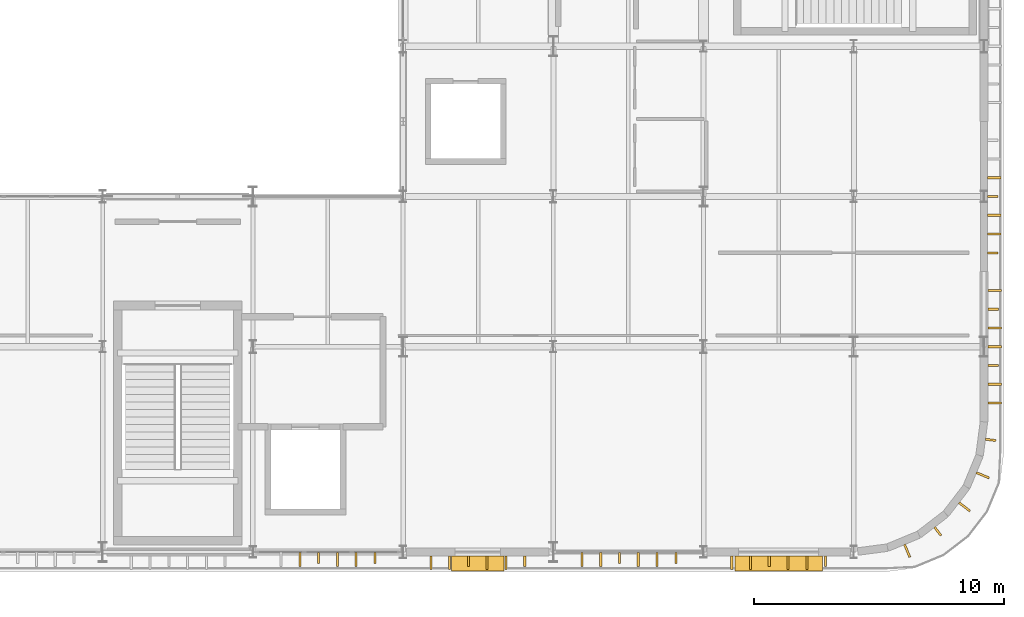
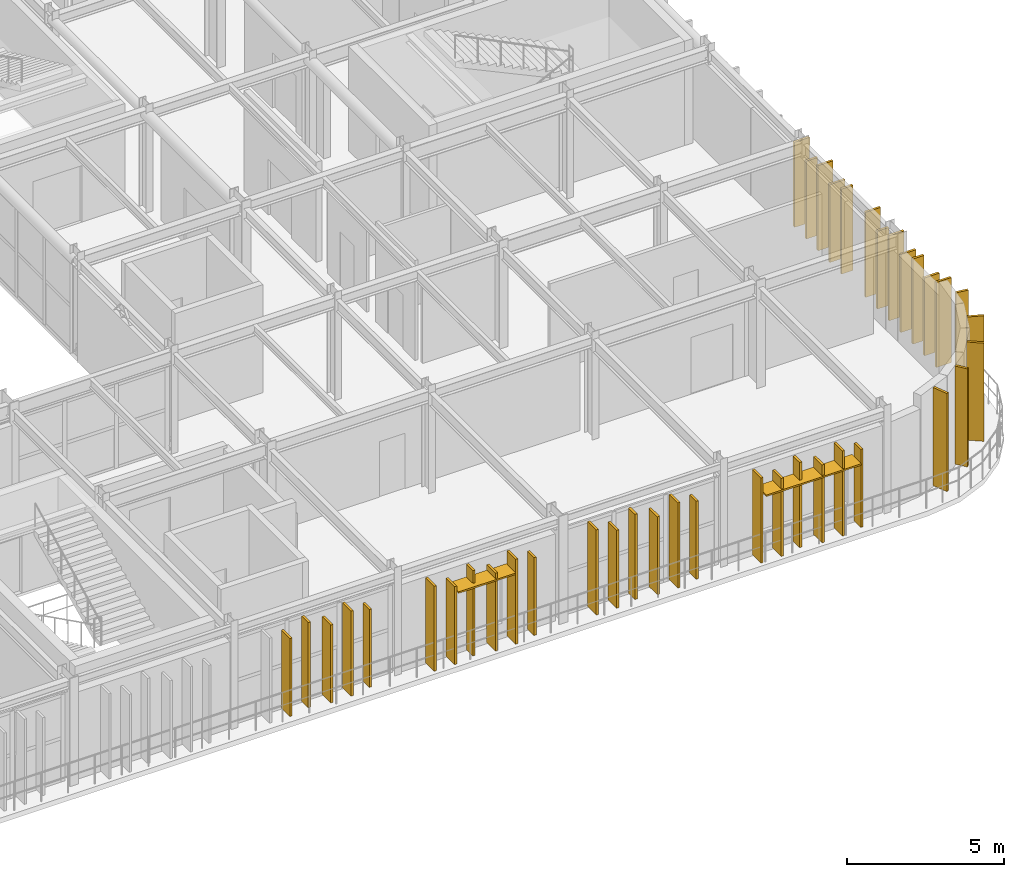
# One storey, part 81 of 83: 40 coverings, 2 shading devices.
"""IFC4 building model written with IfcOpenShell, lengths in metres."""

from ifc_helpers import new_model, si_unit, direction, frame, origin, origin_2d, place, context, subcontext, project, spatial, rectangle, extrude, material, layer, layer_set, type_object, element, save


model = new_model("IFC4")

# Units and contexts
model_context = context("Model", 3, precision=1e-05, world=origin(), true_north=direction((0.0, 1.0)))
body_context = subcontext(model_context, "Body", "Model", "MODEL_VIEW")
ifc_project = project(units=[si_unit("LENGTHUNIT", "METRE"), si_unit("AREAUNIT", "SQUARE_METRE"), si_unit("VOLUMEUNIT", "CUBIC_METRE"), si_unit("PLANEANGLEUNIT", "RADIAN"), si_unit("MASSUNIT", "GRAM", prefix="KILO")], contexts=[model_context])

# Site, building, storey
site_placement = place(None, origin())
site = spatial("IfcSite", under=ifc_project, at=site_placement, CompositionType="ELEMENT")
building_placement = place(site_placement, origin())
building = spatial("IfcBuilding", under=site, at=building_placement, Name="Varnakota Square Police Headquarters", CompositionType="ELEMENT")
storey_placement = place(building_placement, frame((0.0, 0.0, 18.0)))
storey = spatial("IfcBuildingStorey", under=building, at=storey_placement, Name="L04", CompositionType="ELEMENT", Elevation=18.0)

# Coverings
ifc_material_1 = material(Name="White Anodised Aluminium Vertical Facade Blade 420", Category="aluminium")
ifc_layer_1 = layer(ifc_material_1, 0.0849609375, Name="White Anodised Aluminium Vertical Facade Blade 420")
ifc_layer_set_1 = layer_set([ifc_layer_1], Name="White Anodised Aluminium Vertical Facade Blade 420")
covering_type_1 = type_object("IfcCoveringType", Name="COV-FIN-420", PredefinedType="CLADDING", material=ifc_layer_set_1)
covering_1_placement = place(storey_placement, frame((134.625, 0.5625, 0.0400390625), z_axis=(0.0, 0.0, 1.0), x_axis=(1.0, 0.0, 0.0)))
element("IfcCovering", 1, at=covering_1_placement, inside=storey, type_object=covering_type_1, Name="Vertical aluminium facade fin FIN-0548", PredefinedType="CLADDING", context=body_context, shape_type="SweptSolid", body=[
    extrude(rectangle(XDim=0.0849609375, YDim=0.419921875, at=origin_2d()), origin(), (0.0, 0.0, 1.0), 3.31005859375),
])
covering_2_placement = place(storey_placement, frame((136.875, 0.5625, 0.0400390625), z_axis=(0.0, 0.0, 1.0), x_axis=(1.0, 0.0, 0.0)))
element("IfcCovering", 2, at=covering_2_placement, inside=storey, type_object=covering_type_1, Name="Vertical aluminium facade fin FIN-0551", PredefinedType="CLADDING", context=body_context, shape_type="SweptSolid", body=[
    extrude(rectangle(XDim=0.0849609375, YDim=0.419921875, at=origin_2d()), origin(), (0.0, 0.0, 1.0), 3.030029296875),
])
covering_3_placement = place(storey_placement, frame((140.607421875, 0.43505859375, 0.0400390625), z_axis=(0.0, 0.0, 1.0), x_axis=(1.0, 0.0, 0.0)))
element("IfcCovering", 3, at=covering_3_placement, inside=storey, type_object=covering_type_1, Name="Vertical aluminium facade fin FIN-0554", PredefinedType="CLADDING", context=body_context, shape_type="SweptSolid", body=[
    extrude(rectangle(XDim=0.0849609375, YDim=0.419921875, at=origin_2d()), origin(), (0.0, 0.0, 1.0), 3.31005859375),
])
covering_4_placement = place(storey_placement, frame((142.857421875, 0.43505859375, 0.0400390625), z_axis=(0.0, 0.0, 1.0), x_axis=(1.0, 0.0, 0.0)))
element("IfcCovering", 4, at=covering_4_placement, inside=storey, type_object=covering_type_1, Name="Vertical aluminium facade fin FIN-0557", PredefinedType="CLADDING", context=body_context, shape_type="SweptSolid", body=[
    extrude(rectangle(XDim=0.0849609375, YDim=0.419921875, at=origin_2d()), origin(), (0.0, 0.0, 1.0), 3.030029296875),
])
covering_5_placement = place(storey_placement, frame((146.642578125, 0.5625, 0.0400390625), z_axis=(0.0, 0.0, 1.0), x_axis=(1.0, 0.0, 0.0)))
element("IfcCovering", 5, at=covering_5_placement, inside=storey, type_object=covering_type_1, Name="Vertical aluminium facade fin FIN-0560", PredefinedType="CLADDING", context=body_context, shape_type="SweptSolid", body=[
    extrude(rectangle(XDim=0.0849609375, YDim=0.419921875, at=origin_2d()), origin(), (0.0, 0.0, 1.0), 3.31005859375),
])
covering_6_placement = place(storey_placement, frame((148.892578125, 0.5625, 0.0400390625), z_axis=(0.0, 0.0, 1.0), x_axis=(1.0, 0.0, 0.0)))
element("IfcCovering", 6, at=covering_6_placement, inside=storey, type_object=covering_type_1, Name="Vertical aluminium facade fin FIN-0563", PredefinedType="CLADDING", context=body_context, shape_type="SweptSolid", body=[
    extrude(rectangle(XDim=0.0849609375, YDim=0.419921875, at=origin_2d()), origin(), (0.0, 0.0, 1.0), 3.030029296875),
])
covering_7_placement = place(storey_placement, frame((152.625, 0.43505859375, 0.0400390625), z_axis=(0.0, 0.0, 1.0), x_axis=(1.0, 0.0, 0.0)))
element("IfcCovering", 7, at=covering_7_placement, inside=storey, type_object=covering_type_1, Name="Vertical aluminium facade fin FIN-0566", PredefinedType="CLADDING", context=body_context, shape_type="SweptSolid", body=[
    extrude(rectangle(XDim=0.0849609375, YDim=0.419921875, at=origin_2d()), origin(), (0.0, 0.0, 1.0), 3.31005859375),
])
covering_8_placement = place(storey_placement, frame((154.875, 0.43505859375, 0.0400390625), z_axis=(0.0, 0.0, 1.0), x_axis=(1.0, 0.0, 0.0)))
element("IfcCovering", 8, at=covering_8_placement, inside=storey, type_object=covering_type_1, Name="Vertical aluminium facade fin FIN-0569", PredefinedType="CLADDING", context=body_context, shape_type="SweptSolid", body=[
    extrude(rectangle(XDim=0.0849609375, YDim=0.419921875, at=origin_2d()), origin(), (0.0, 0.0, 1.0), 3.030029296875),
])
covering_9_placement = place(storey_placement, frame((161.56494140625, 8.25, 0.0400390625), z_axis=(0.0, 0.0, 1.0), x_axis=(0.0, 1.0, 0.0)))
element("IfcCovering", 9, at=covering_9_placement, inside=storey, type_object=covering_type_1, Name="Vertical aluminium facade fin FIN-0572", PredefinedType="CLADDING", context=body_context, shape_type="SweptSolid", body=[
    extrude(rectangle(XDim=0.0849609375, YDim=0.419921875, at=origin_2d()), origin(), (0.0, 0.0, 1.0), 3.31005859375),
])
covering_10_placement = place(storey_placement, frame((161.56494140625, 10.5, 0.0400390625), z_axis=(0.0, 0.0, 1.0), x_axis=(0.0, 1.0, 0.0)))
element("IfcCovering", 10, at=covering_10_placement, inside=storey, type_object=covering_type_1, Name="Vertical aluminium facade fin FIN-0575", PredefinedType="CLADDING", context=body_context, shape_type="SweptSolid", body=[
    extrude(rectangle(XDim=0.0849609375, YDim=0.419921875, at=origin_2d()), origin(), (0.0, 0.0, 1.0), 3.030029296875),
])
covering_11_placement = place(storey_placement, frame((161.544921875, 12.75, 0.0400390625), z_axis=(0.0, 0.0, 1.0), x_axis=(0.0, 1.0, 0.0)))
element("IfcCovering", 11, at=covering_11_placement, inside=storey, type_object=covering_type_1, Name="Vertical aluminium facade fin FIN-0577", PredefinedType="CLADDING", context=body_context, shape_type="SweptSolid", body=[
    extrude(rectangle(XDim=0.0849609375, YDim=0.419921875, at=origin_2d()), origin(), (0.0, 0.0, 1.0), 3.31005859375),
])
covering_12_placement = place(storey_placement, frame((161.544921875, 15.0, 0.0400390625), z_axis=(0.0, 0.0, 1.0), x_axis=(0.0, 1.0, 0.0)))
element("IfcCovering", 12, at=covering_12_placement, inside=storey, type_object=covering_type_1, Name="Vertical aluminium facade fin FIN-0580", PredefinedType="CLADDING", context=body_context, shape_type="SweptSolid", body=[
    extrude(rectangle(XDim=0.0849609375, YDim=0.419921875, at=origin_2d()), origin(), (0.0, 0.0, 1.0), 3.030029296875),
])
for number, where, z_axis, x_axis, name in (
    (13, (159.3544921875, 1.628173828125, 0.0400390625), (0.0, 0.0, 1.0), (0.793353340291, 0.608761429009, 0.0), "Vertical aluminium facade fin FIN-0616"),
    (14, (161.46337890625, 5.28076171875, 0.0400390625), (0.0, 0.0, 1.0), (0.13052619222, 0.991444861374, 0.0), "Vertical aluminium facade fin FIN-0619"),
):
    element("IfcCovering", number, at=place(storey_placement, frame(where, z_axis=z_axis, x_axis=x_axis)), inside=storey, type_object=covering_type_1, Name=name, PredefinedType="CLADDING", context=body_context, shape_type="SweptSolid", body=[
        extrude(rectangle(XDim=0.0849609375, YDim=0.419921875, at=origin_2d()), origin(), (0.0, 0.0, 1.0), 3.81494140625),
    ])
ifc_material_2 = material(Name="White Anodised Aluminium Vertical Facade Blade 550", Category="aluminium")
ifc_layer_2 = layer(ifc_material_2, 0.0849609375, Name="White Anodised Aluminium Vertical Facade Blade 550")
ifc_layer_set_2 = layer_set([ifc_layer_2], Name="White Anodised Aluminium Vertical Facade Blade 550")
covering_type_2 = type_object("IfcCoveringType", Name="COV-FIN-550", PredefinedType="CLADDING", material=ifc_layer_set_2)
for number, where, z_axis, x_axis, name in (
    (15, (133.875, 0.49755859375, 0.0400390625), (0.0, 0.0, 1.0), (1.0, 0.0, 0.0), "Vertical aluminium facade fin FIN-0547"),
    (16, (135.375, 0.49755859375, 0.0400390625), (0.0, 0.0, 1.0), (1.0, 0.0, 0.0), "Vertical aluminium facade fin FIN-0549"),
):
    element("IfcCovering", number, at=place(storey_placement, frame(where, z_axis=z_axis, x_axis=x_axis)), inside=storey, type_object=covering_type_2, Name=name, PredefinedType="CLADDING", context=body_context, shape_type="SweptSolid", body=[
        extrude(rectangle(XDim=0.0849609375, YDim=0.550048828125, at=origin_2d()), origin(), (0.0, 0.0, 1.0), 3.030029296875),
    ])
for number, where, z_axis, x_axis, name in (
    (17, (136.125, 0.49755859375, 0.0400390625), (0.0, 0.0, 1.0), (1.0, 0.0, 0.0), "Vertical aluminium facade fin FIN-0550"),
    (18, (139.107421875, 0.3701171875, 0.0400390625), (0.0, 0.0, 1.0), (1.0, 0.0, 0.0), "Vertical aluminium facade fin FIN-0552"),
):
    element("IfcCovering", number, at=place(storey_placement, frame(where, z_axis=z_axis, x_axis=x_axis)), inside=storey, type_object=covering_type_2, Name=name, PredefinedType="CLADDING", context=body_context, shape_type="SweptSolid", body=[
        extrude(rectangle(XDim=0.0849609375, YDim=0.550048828125, at=origin_2d()), origin(), (0.0, 0.0, 1.0), 3.31005859375),
    ])
for number, where, z_axis, x_axis, name in (
    (19, (139.857421875, 0.3701171875, 0.0400390625), (0.0, 0.0, 1.0), (1.0, 0.0, 0.0), "Vertical aluminium facade fin FIN-0553"),
    (20, (141.357421875, 0.3701171875, 0.0400390625), (0.0, 0.0, 1.0), (1.0, 0.0, 0.0), "Vertical aluminium facade fin FIN-0555"),
):
    element("IfcCovering", number, at=place(storey_placement, frame(where, z_axis=z_axis, x_axis=x_axis)), inside=storey, type_object=covering_type_2, Name=name, PredefinedType="CLADDING", context=body_context, shape_type="SweptSolid", body=[
        extrude(rectangle(XDim=0.0849609375, YDim=0.550048828125, at=origin_2d()), origin(), (0.0, 0.0, 1.0), 3.030029296875),
    ])
for number, where, z_axis, x_axis, name in (
    (21, (142.107421875, 0.3701171875, 0.0400390625), (0.0, 0.0, 1.0), (1.0, 0.0, 0.0), "Vertical aluminium facade fin FIN-0556"),
    (22, (145.142578125, 0.49755859375, 0.0400390625), (0.0, 0.0, 1.0), (1.0, 0.0, 0.0), "Vertical aluminium facade fin FIN-0558"),
):
    element("IfcCovering", number, at=place(storey_placement, frame(where, z_axis=z_axis, x_axis=x_axis)), inside=storey, type_object=covering_type_2, Name=name, PredefinedType="CLADDING", context=body_context, shape_type="SweptSolid", body=[
        extrude(rectangle(XDim=0.0849609375, YDim=0.550048828125, at=origin_2d()), origin(), (0.0, 0.0, 1.0), 3.31005859375),
    ])
for number, where, z_axis, x_axis, name in (
    (23, (145.892578125, 0.49755859375, 0.0400390625), (0.0, 0.0, 1.0), (1.0, 0.0, 0.0), "Vertical aluminium facade fin FIN-0559"),
    (24, (147.392578125, 0.49755859375, 0.0400390625), (0.0, 0.0, 1.0), (1.0, 0.0, 0.0), "Vertical aluminium facade fin FIN-0561"),
):
    element("IfcCovering", number, at=place(storey_placement, frame(where, z_axis=z_axis, x_axis=x_axis)), inside=storey, type_object=covering_type_2, Name=name, PredefinedType="CLADDING", context=body_context, shape_type="SweptSolid", body=[
        extrude(rectangle(XDim=0.0849609375, YDim=0.550048828125, at=origin_2d()), origin(), (0.0, 0.0, 1.0), 3.030029296875),
    ])
for number, where, z_axis, x_axis, name in (
    (25, (148.142578125, 0.49755859375, 0.0400390625), (0.0, 0.0, 1.0), (1.0, 0.0, 0.0), "Vertical aluminium facade fin FIN-0562"),
    (26, (151.125, 0.3701171875, 0.0400390625), (0.0, 0.0, 1.0), (1.0, 0.0, 0.0), "Vertical aluminium facade fin FIN-0564"),
):
    element("IfcCovering", number, at=place(storey_placement, frame(where, z_axis=z_axis, x_axis=x_axis)), inside=storey, type_object=covering_type_2, Name=name, PredefinedType="CLADDING", context=body_context, shape_type="SweptSolid", body=[
        extrude(rectangle(XDim=0.0849609375, YDim=0.550048828125, at=origin_2d()), origin(), (0.0, 0.0, 1.0), 3.31005859375),
    ])
for number, where, z_axis, x_axis, name in (
    (27, (151.875, 0.3701171875, 0.0400390625), (0.0, 0.0, 1.0), (1.0, 0.0, 0.0), "Vertical aluminium facade fin FIN-0565"),
    (28, (153.375, 0.3701171875, 0.0400390625), (0.0, 0.0, 1.0), (1.0, 0.0, 0.0), "Vertical aluminium facade fin FIN-0567"),
):
    element("IfcCovering", number, at=place(storey_placement, frame(where, z_axis=z_axis, x_axis=x_axis)), inside=storey, type_object=covering_type_2, Name=name, PredefinedType="CLADDING", context=body_context, shape_type="SweptSolid", body=[
        extrude(rectangle(XDim=0.0849609375, YDim=0.550048828125, at=origin_2d()), origin(), (0.0, 0.0, 1.0), 3.030029296875),
    ])
for number, where, z_axis, x_axis, name in (
    (29, (154.125, 0.3701171875, 0.0400390625), (0.0, 0.0, 1.0), (1.0, 0.0, 0.0), "Vertical aluminium facade fin FIN-0568"),
    (30, (161.6298828125, 6.75, 0.0400390625), (0.0, 0.0, 1.0), (0.0, 1.0, 0.0), "Vertical aluminium facade fin FIN-0570"),
):
    element("IfcCovering", number, at=place(storey_placement, frame(where, z_axis=z_axis, x_axis=x_axis)), inside=storey, type_object=covering_type_2, Name=name, PredefinedType="CLADDING", context=body_context, shape_type="SweptSolid", body=[
        extrude(rectangle(XDim=0.0849609375, YDim=0.550048828125, at=origin_2d()), origin(), (0.0, 0.0, 1.0), 3.31005859375),
    ])
for number, where, z_axis, x_axis, name in (
    (31, (161.6298828125, 7.5, 0.0400390625), (0.0, 0.0, 1.0), (0.0, 1.0, 0.0), "Vertical aluminium facade fin FIN-0571"),
    (32, (161.6298828125, 9.0, 0.0400390625), (0.0, 0.0, 1.0), (0.0, 1.0, 0.0), "Vertical aluminium facade fin FIN-0573"),
):
    element("IfcCovering", number, at=place(storey_placement, frame(where, z_axis=z_axis, x_axis=x_axis)), inside=storey, type_object=covering_type_2, Name=name, PredefinedType="CLADDING", context=body_context, shape_type="SweptSolid", body=[
        extrude(rectangle(XDim=0.0849609375, YDim=0.550048828125, at=origin_2d()), origin(), (0.0, 0.0, 1.0), 3.030029296875),
    ])
for number, where, z_axis, x_axis, name in (
    (33, (161.6298828125, 9.75, 0.0400390625), (0.0, 0.0, 1.0), (0.0, 1.0, 0.0), "Vertical aluminium facade fin FIN-0574"),
    (34, (161.6298828125, 11.25, 0.0400390625), (0.0, 0.0, 1.0), (0.0, 1.0, 0.0), "Vertical aluminium facade fin FIN-0576"),
):
    element("IfcCovering", number, at=place(storey_placement, frame(where, z_axis=z_axis, x_axis=x_axis)), inside=storey, type_object=covering_type_2, Name=name, PredefinedType="CLADDING", context=body_context, shape_type="SweptSolid", body=[
        extrude(rectangle(XDim=0.0849609375, YDim=0.550048828125, at=origin_2d()), origin(), (0.0, 0.0, 1.0), 3.31005859375),
    ])
covering_13_placement = place(storey_placement, frame((161.610107421875, 13.5, 0.0400390625), z_axis=(0.0, 0.0, 1.0), x_axis=(0.0, 1.0, 0.0)))
element("IfcCovering", 35, at=covering_13_placement, inside=storey, type_object=covering_type_2, Name="Vertical aluminium facade fin FIN-0578", PredefinedType="CLADDING", context=body_context, shape_type="SweptSolid", body=[
    extrude(rectangle(XDim=0.0849609375, YDim=0.550048828125, at=origin_2d()), origin(), (0.0, 0.0, 1.0), 3.030029296875),
])
for number, where, z_axis, x_axis, name in (
    (36, (161.610107421875, 14.25, 0.0400390625), (0.0, 0.0, 1.0), (0.0, 1.0, 0.0), "Vertical aluminium facade fin FIN-0579"),
    (37, (161.610107421875, 15.75, 0.0400390625), (0.0, 0.0, 1.0), (0.0, 1.0, 0.0), "Vertical aluminium facade fin FIN-0581"),
):
    element("IfcCovering", number, at=place(storey_placement, frame(where, z_axis=z_axis, x_axis=x_axis)), inside=storey, type_object=covering_type_2, Name=name, PredefinedType="CLADDING", context=body_context, shape_type="SweptSolid", body=[
        extrude(rectangle(XDim=0.0849609375, YDim=0.550048828125, at=origin_2d()), origin(), (0.0, 0.0, 1.0), 3.31005859375),
    ])
for number, where, z_axis, x_axis, name in (
    (38, (158.1337890625, 0.848876953125, 0.0400390625), (0.0, 0.0, 1.0), (0.923879532511, 0.382683432365, 0.0), "Vertical aluminium facade fin FIN-0615"),
    (39, (160.42333984375, 2.605712890625, 0.0400390625), (0.0, 0.0, 1.0), (0.608761429009, 0.793353340291, 0.0), "Vertical aluminium facade fin FIN-0617"),
    (40, (161.151123046875, 3.8662109375, 0.0400390625), (0.0, 0.0, 1.0), (0.382683432365, 0.923879532511, 0.0), "Vertical aluminium facade fin FIN-0618"),
):
    element("IfcCovering", number, at=place(storey_placement, frame(where, z_axis=z_axis, x_axis=x_axis)), inside=storey, type_object=covering_type_2, Name=name, PredefinedType="CLADDING", context=body_context, shape_type="SweptSolid", body=[
        extrude(rectangle(XDim=0.0849609375, YDim=0.550048828125, at=origin_2d()), origin(), (0.0, 0.0, 1.0), 3.81494140625),
    ])

# Shading devices
ifc_material_3 = material(Name="Anodised Aluminium Horizontal Brise-Soleil", Category="aluminium")
ifc_layer_3 = layer(ifc_material_3, 0.06005859375, Name="Anodised Aluminium Horizontal Brise-Soleil")
ifc_layer_set_3 = layer_set([ifc_layer_3], Name="Anodised Aluminium Horizontal Brise-Soleil")
shading_device_type = type_object("IfcShadingDeviceType", Name="SHD-JAL-600", PredefinedType="JALOUSIE", material=ifc_layer_set_3)
shading_device_1_placement = place(storey_placement, frame((140.982421875, 0.342041015625, 2.800048828125), z_axis=(0.0, 0.0, 1.0), x_axis=(1.0, 0.0, 0.0)))
element("IfcShadingDevice", 41, at=shading_device_1_placement, inside=storey, type_object=shading_device_type, Name="Horizontal sunshade SHD-028", PredefinedType="JALOUSIE", context=body_context, shape_type="SweptSolid", body=[
    extrude(rectangle(XDim=2.10009765625, YDim=0.60009765625, at=origin_2d()), origin(), (0.0, 0.0, 1.0), 0.06005859375),
])
shading_device_2_placement = place(storey_placement, frame((153.0, 0.342041015625, 2.599853515625), z_axis=(0.0, 0.0, 1.0), x_axis=(1.0, 0.0, 0.0)))
element("IfcShadingDevice", 42, at=shading_device_2_placement, inside=storey, type_object=shading_device_type, Name="Horizontal sunshade SHD-029", PredefinedType="JALOUSIE", context=body_context, shape_type="SweptSolid", body=[
    extrude(rectangle(XDim=3.5, YDim=0.60009765625, at=origin_2d()), origin(), (0.0, 0.0, 1.0), 0.06005859375),
])

save(model, "model.ifc")
